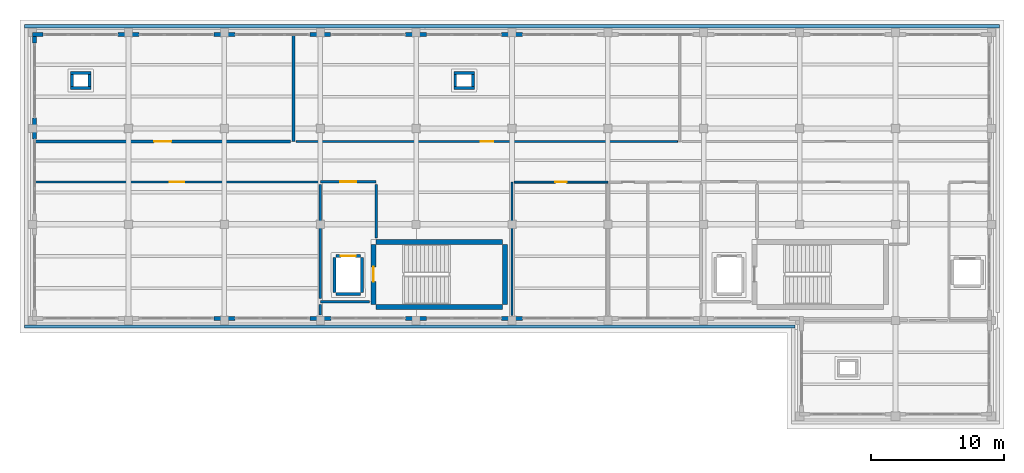
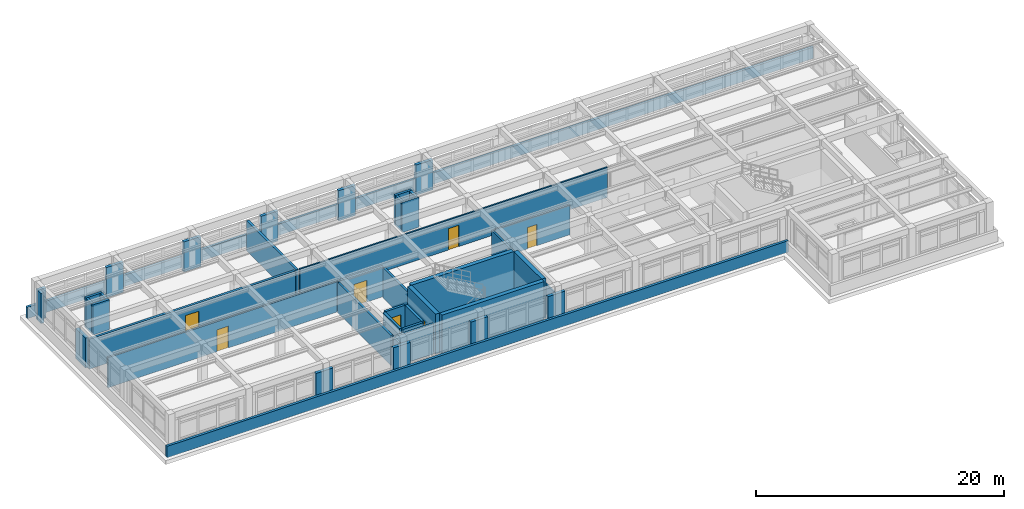
# One storey, part 14 of 19: 41 walls, 7 doors, 7 openings.
"""IFC4 building model written with IfcOpenShell, lengths in metres."""

from ifc_helpers import new_model, si_unit, direction, frame, frame_2d, origin, place, context, subcontext, project, spatial, rectangle, extrude, material, layer, layer_set, type_object, element, fill, save


model = new_model("IFC4")

# Units and contexts
model_context = context("Model", 3, precision=1e-05, world=origin(), true_north=direction((0.0, 1.0)))
body_context = subcontext(model_context, "Body", "Model", "MODEL_VIEW")
ifc_project = project(units=[si_unit("LENGTHUNIT", "METRE"), si_unit("AREAUNIT", "SQUARE_METRE"), si_unit("VOLUMEUNIT", "CUBIC_METRE"), si_unit("PLANEANGLEUNIT", "RADIAN"), si_unit("MASSUNIT", "GRAM", prefix="KILO")], contexts=[model_context])

# Site, building, storey
site_placement = place(None, origin())
site = spatial("IfcSite", under=ifc_project, at=site_placement, CompositionType="ELEMENT")
building_placement = place(site_placement, origin())
building = spatial("IfcBuilding", under=site, at=building_placement, Name="Solenvale Faculty of Natural Sciences", CompositionType="ELEMENT")
storey_placement = place(building_placement, frame((0.0, 0.0, 27.0)))
storey = spatial("IfcBuildingStorey", under=building, at=storey_placement, Name="L06", CompositionType="ELEMENT", Elevation=27.0)

# Walls
ifc_material_1 = material(Name="Precast concrete 40 MPa", Category="concrete")
ifc_layer_1 = layer(ifc_material_1, 0.284912109375)
ifc_layer_set_1 = layer_set([ifc_layer_1], Name="Precast concrete 40 MPa")
wall_type_1 = type_object("IfcWallType", Name="WL-EXT-PRC-285", PredefinedType="STANDARD", material=ifc_layer_set_1)
wall_1_placement = place(storey_placement, frame((115.988037109375, 115.0576171875, 0.0), z_axis=(0.0, 0.0, 1.0), x_axis=(-1.0, 0.0, 0.0)))
element("IfcWall", 1, at=wall_1_placement, inside=storey, type_object=wall_type_1, Name="L06 Facade Closure Pier 2.B5-R", PredefinedType="STANDARD", context=body_context, shape_type="SweptSolid", body=[
    extrude(rectangle(XDim=1.575927734375, YDim=0.284912109375, at=frame_2d((0.7880859375, 0.0))), origin(), (0.0, 0.0, 1.0), 2.9599609375),
])
wall_2_placement = place(storey_placement, frame((108.7880859375, 115.0576171875, 0.0), z_axis=(0.0, 0.0, 1.0), x_axis=(-1.0, 0.0, 0.0)))
element("IfcWall", 2, at=wall_2_placement, inside=storey, type_object=wall_type_1, Name="L06 Facade Closure Pier 2.B6-R", PredefinedType="STANDARD", context=body_context, shape_type="SweptSolid", body=[
    extrude(rectangle(XDim=1.576171875, YDim=0.284912109375, at=frame_2d((0.7880859375, 0.0))), origin(), (0.0, 0.0, 1.0), 2.9599609375),
])
for number, where, z_axis, x_axis, name in (
    (3, (101.587890625, 115.0576171875, 0.0), (0.0, 0.0, 1.0), (-1.0, 0.0, 0.0), "L06 Facade Closure Pier 2.B7-R"),
    (4, (94.387939453125, 115.0576171875, 0.0), (0.0, 0.0, 1.0), (-1.0, 0.0, 0.0), "L06 Facade Closure Pier 2.B8-R"),
    (5, (87.18798828125, 115.0576171875, 0.0), (0.0, 0.0, 1.0), (-1.0, 0.0, 0.0), "L06 Facade Closure Pier 2.B9-R"),
):
    element("IfcWall", number, at=place(storey_placement, frame(where, z_axis=z_axis, x_axis=x_axis)), inside=storey, type_object=wall_type_1, Name=name, PredefinedType="STANDARD", context=body_context, shape_type="SweptSolid", body=[
        extrude(rectangle(XDim=1.575927734375, YDim=0.284912109375, at=frame_2d((0.7880859375, 0.0))), origin(), (0.0, 0.0, 1.0), 2.9599609375),
    ])
wall_3_placement = place(storey_placement, frame((79.988037109375, 115.0576171875, 0.0), z_axis=(0.0, 0.0, 1.0), x_axis=(-1.0, 0.0, 0.0)))
element("IfcWall", 6, at=wall_3_placement, inside=storey, type_object=wall_type_1, Name="L06 Facade Closure Pier 2.B10-R", PredefinedType="STANDARD", context=body_context, shape_type="SweptSolid", body=[
    extrude(rectangle(XDim=0.7880859375, YDim=0.284912109375, at=frame_2d((0.39404296875, 0.0))), origin(), (0.0, 0.0, 1.0), 2.9599609375),
])
wall_4_placement = place(storey_placement, frame((79.342529296875, 114.9150390625, 0.0), z_axis=(0.0, 0.0, 1.0), x_axis=(0.0, -1.0, 0.0)))
element("IfcWall", 7, at=wall_4_placement, inside=storey, type_object=wall_type_1, Name="L06 Facade Closure Pier 3.B1-L", PredefinedType="STANDARD", context=body_context, shape_type="SweptSolid", body=[
    extrude(rectangle(XDim=0.5029296875, YDim=0.284912109375, at=frame_2d((0.25146484375, 0.0))), origin(), (0.0, 0.0, 1.0), 2.9599609375),
])
wall_5_placement = place(storey_placement, frame((79.342529296875, 108.7880859375, 0.0), z_axis=(0.0, 0.0, 1.0), x_axis=(0.0, -1.0, 0.0)))
element("IfcWall", 8, at=wall_5_placement, inside=storey, type_object=wall_type_1, Name="L06 Facade Closure Pier 3.B1-R", PredefinedType="STANDARD", context=body_context, shape_type="SweptSolid", body=[
    extrude(rectangle(XDim=1.576171875, YDim=0.284912109375, at=frame_2d((0.7880859375, 0.0))), origin(), (0.0, 0.0, 1.0), 2.9599609375),
])
for number, where, z_axis, x_axis, name in (
    (9, (92.81201171875, 93.742431640625, 0.0), (0.0, 0.0, 1.0), (1.0, 0.0, 0.0), "L06 Facade Closure Pier 4.B2-R"),
    (10, (100.011962890625, 93.742431640625, 0.0), (0.0, 0.0, 1.0), (1.0, 0.0, 0.0), "L06 Facade Closure Pier 4.B3-R"),
):
    element("IfcWall", number, at=place(storey_placement, frame(where, z_axis=z_axis, x_axis=x_axis)), inside=storey, type_object=wall_type_1, Name=name, PredefinedType="STANDARD", context=body_context, shape_type="SweptSolid", body=[
        extrude(rectangle(XDim=1.575927734375, YDim=0.284912109375, at=frame_2d((0.7880859375, 0.0))), origin(), (0.0, 0.0, 1.0), 2.9599609375),
    ])
wall_6_placement = place(storey_placement, frame((107.2119140625, 93.742431640625, 0.0), z_axis=(0.0, 0.0, 1.0), x_axis=(1.0, 0.0, 0.0)))
element("IfcWall", 11, at=wall_6_placement, inside=storey, type_object=wall_type_1, Name="L06 Facade Closure Pier 4.B4-R", PredefinedType="STANDARD", context=body_context, shape_type="SweptSolid", body=[
    extrude(rectangle(XDim=1.576171875, YDim=0.284912109375, at=frame_2d((0.7880859375, 0.0))), origin(), (0.0, 0.0, 1.0), 2.9599609375),
])
wall_7_placement = place(storey_placement, frame((114.412109375, 93.742431640625, 0.0), z_axis=(0.0, 0.0, 1.0), x_axis=(1.0, 0.0, 0.0)))
element("IfcWall", 12, at=wall_7_placement, inside=storey, type_object=wall_type_1, Name="L06 Facade Closure Pier 4.B5-R", PredefinedType="STANDARD", context=body_context, shape_type="SweptSolid", body=[
    extrude(rectangle(XDim=1.575927734375, YDim=0.284912109375, at=frame_2d((0.7880859375, 0.0))), origin(), (0.0, 0.0, 1.0), 2.9599609375),
])

# Wall, opening, door
ifc_material_2 = material(Name="Gypsum fire-rated shaftwall")
ifc_layer_2 = layer(ifc_material_2, 0.205078125)
ifc_layer_set_2 = layer_set([ifc_layer_2], Name="Gypsum fire-rated shaftwall")
wall_type_2 = type_object("IfcWallType", Name="WL-FFL-205", PredefinedType="PARTITIONING", material=ifc_layer_set_2)
wall_8_placement = place(storey_placement, frame((100.800048828125, 104.0, 0.0), z_axis=(0.0, 0.0, 1.0), x_axis=(1.0, 0.0, 0.0)))
wall_8 = element("IfcWall", 13, at=wall_8_placement, inside=storey, type_object=wall_type_2, Name="L06 Firefighting Lobby C4 Partition 1", PredefinedType="PARTITIONING", context=body_context, shape_type="SweptSolid", body=[
    extrude(rectangle(XDim=4.199951171875, YDim=0.205078125, at=frame_2d((2.10009765625, 0.0))), origin(), (0.0, 0.0, 1.0), 2.9599609375),
])
opening_1_placement = place(wall_8_placement, frame((1.5, 0.0, 0.0)))
opening_1 = element("IfcOpeningElement", 14, at=opening_1_placement, cuts=wall_8, Name="Opening D-L06-01", PredefinedType="OPENING", context=body_context, shape_type="SweptSolid", body=[
    extrude(rectangle(XDim=1.199951171875, YDim=2.14990234375, at=frame_2d((0.60009765625, 1.074951171875))), frame((0.0, 0.112548828125, 0.0), z_axis=(0.0, -1.0, 0.0), x_axis=(1.0, 0.0, 0.0)), (0.0, 0.0, 1.0), 0.22509765625),
])
ifc_material_3 = material(Name="Galvanised steel S355", Category="steel")
door_type_1 = type_object("IfcDoorType", Name="DR-FFL-1200x2150", OperationType="NOTDEFINED", PredefinedType="DOOR", material=ifc_material_3)
door_1_placement = place(opening_1_placement, origin())
door_1 = element("IfcDoor", 15, at=door_1_placement, inside=storey, type_object=door_type_1, Name="L06 Firefighting Lobby C4 Door", OperationType="SINGLE_SWING_RIGHT", OverallHeight=2.14990234375, OverallWidth=1.199951171875, PredefinedType="DOOR", context=body_context, shape_type="SweptSolid", body=[
    extrude(rectangle(XDim=1.199951171875, YDim=2.14990234375, at=frame_2d((0.60009765625, 1.074951171875))), frame((0.0, 0.02490234375, 0.0), z_axis=(0.0, -1.0, 0.0), x_axis=(1.0, 0.0, 0.0)), (0.0, 0.0, 1.0), 0.050048828125),
])
fill(opening_1, door_1)

# Walls
wall_9_placement = place(storey_placement, frame((105.0, 103.782958984375, 0.0), z_axis=(0.0, 0.0, 1.0), x_axis=(0.0, -1.0, 0.0)))
element("IfcWall", 16, at=wall_9_placement, inside=storey, type_object=wall_type_2, Name="L06 Firefighting Lobby C4 Partition 2", PredefinedType="PARTITIONING", context=body_context, shape_type="SweptSolid", body=[
    extrude(rectangle(XDim=3.989013671875, YDim=0.205078125, at=frame_2d((1.99462890625, 0.0))), origin(), (0.0, 0.0, 1.0), 2.9599609375),
])
wall_10_placement = place(storey_placement, frame((104.5048828125, 95.0, 0.0), z_axis=(0.0, 0.0, 1.0), x_axis=(-1.0, 0.0, 0.0)))
element("IfcWall", 17, at=wall_10_placement, inside=storey, type_object=wall_type_2, Name="L06 Firefighting Lobby C4 Partition 20", PredefinedType="PARTITIONING", context=body_context, shape_type="SweptSolid", body=[
    extrude(rectangle(XDim=3.704833984375, YDim=0.205078125, at=frame_2d((1.8525390625, 0.0))), origin(), (0.0, 0.0, 1.0), 2.9599609375),
])
wall_11_placement = place(storey_placement, frame((100.800048828125, 95.217041015625, 0.0), z_axis=(0.0, 0.0, 1.0), x_axis=(0.0, 1.0, 0.0)))
element("IfcWall", 18, at=wall_11_placement, inside=storey, type_object=wall_type_2, Name="L06 Firefighting Lobby C4 Partition 21", PredefinedType="PARTITIONING", context=body_context, shape_type="SweptSolid", body=[
    extrude(rectangle(XDim=8.56591796875, YDim=0.205078125, at=frame_2d((4.282958984375, 0.0))), origin(), (0.0, 0.0, 1.0), 2.9599609375),
])
ifc_material_4 = material(Name="Gypsum fire-rated laboratory partition")
ifc_layer_3 = layer(ifc_material_4, 0.22802734375)
ifc_layer_set_3 = layer_set([ifc_layer_3], Name="Gypsum fire-rated laboratory partition")
wall_type_3 = type_object("IfcWallType", Name="WL-LAB-228", PredefinedType="PARTITIONING", material=ifc_layer_set_3)
wall_12_placement = place(storey_placement, frame((98.800048828125, 115.01708984375, 0.0), z_axis=(0.0, 0.0, 1.0), x_axis=(0.0, -1.0, 0.0)))
element("IfcWall", 19, at=wall_12_placement, inside=storey, type_object=wall_type_3, Name="L06 Biophysics and Neurobiology Research Laboratory Partition 3", PredefinedType="PARTITIONING", context=body_context, shape_type="SweptSolid", body=[
    extrude(rectangle(XDim=7.9970703125, YDim=0.22802734375, at=frame_2d((3.99853515625, 0.0))), origin(), (0.0, 0.0, 1.0), 2.9599609375),
])

# Wall, opening, door
wall_13_placement = place(storey_placement, frame((98.56005859375, 107.02001953125, 0.0), z_axis=(0.0, 0.0, 1.0), x_axis=(-1.0, 0.0, 0.0)))
wall_13 = element("IfcWall", 20, at=wall_13_placement, inside=storey, type_object=wall_type_3, Name="L06 Biophysics and Neurobiology Research Laboratory Partition 4", PredefinedType="PARTITIONING", context=body_context, shape_type="SweptSolid", body=[
    extrude(rectangle(XDim=19.177001953125, YDim=0.22802734375, at=frame_2d((9.58837890625, 0.0))), origin(), (0.0, 0.0, 1.0), 2.9599609375),
])
opening_2_placement = place(wall_13_placement, frame((8.948974609375, 0.0, 0.0)))
opening_2 = element("IfcOpeningElement", 21, at=opening_2_placement, cuts=wall_13, Name="Opening D-L06-03", PredefinedType="OPENING", context=body_context, shape_type="SweptSolid", body=[
    extrude(rectangle(XDim=1.280029296875, YDim=2.14990234375, at=frame_2d((0.64013671875, 1.074951171875))), frame((0.0, 0.1240234375, 0.0), z_axis=(0.0, -1.0, 0.0), x_axis=(1.0, 0.0, 0.0)), (0.0, 0.0, 1.0), 0.248046875),
])
ifc_material_5 = material(Name="Oak acoustic timber leaf", Category="wood")
door_type_2 = type_object("IfcDoorType", Name="DR-LAB-1280x2150", OperationType="NOTDEFINED", PredefinedType="DOOR", material=ifc_material_5)
door_2_placement = place(opening_2_placement, origin())
door_2 = element("IfcDoor", 22, at=door_2_placement, inside=storey, type_object=door_type_2, Name="L06 Biophysics and Neurobiology Research Laboratory Door", OperationType="SINGLE_SWING_RIGHT", OverallHeight=2.14990234375, OverallWidth=1.280029296875, PredefinedType="DOOR", context=body_context, shape_type="SweptSolid", body=[
    extrude(rectangle(XDim=1.280029296875, YDim=2.14990234375, at=frame_2d((0.64013671875, 1.074951171875))), frame((0.0, 0.02490234375, 0.0), z_axis=(0.0, -1.0, 0.0), x_axis=(1.0, 0.0, 0.0)), (0.0, 0.0, 1.0), 0.050048828125),
])
fill(opening_2, door_2)

ifc_material_6 = material(Name="Acoustic stud gypsum partition")
ifc_layer_4 = layer(ifc_material_6, 0.139892578125)
ifc_layer_set_4 = layer_set([ifc_layer_4], Name="Acoustic stud gypsum partition")
wall_type_4 = type_object("IfcWallType", Name="WL-OFF-140", PredefinedType="PARTITIONING", material=ifc_layer_set_4)
wall_14_placement = place(storey_placement, frame((127.64794921875, 107.02001953125, 0.0), z_axis=(0.0, 0.0, 1.0), x_axis=(-1.0, 0.0, 0.0)))
wall_14 = element("IfcWall", 23, at=wall_14_placement, inside=storey, type_object=wall_type_4, Name="L06 Faculty Staff Office Partition 4", PredefinedType="PARTITIONING", context=body_context, shape_type="SweptSolid", body=[
    extrude(rectangle(XDim=28.65185546875, YDim=0.139892578125, at=frame_2d((14.325927734375, 0.0))), origin(), (0.0, 0.0, 1.0), 2.9599609375),
])
opening_3_placement = place(wall_14_placement, frame((13.85107421875, 0.0, 0.0)))
opening_3 = element("IfcOpeningElement", 24, at=opening_3_placement, cuts=wall_14, Name="Opening D-L06-04", PredefinedType="OPENING", context=body_context, shape_type="SweptSolid", body=[
    extrude(rectangle(XDim=0.949951171875, YDim=2.10009765625, at=frame_2d((0.47509765625, 1.050048828125))), frame((0.0, 0.079833984375, 0.0), z_axis=(0.0, -1.0, 0.0), x_axis=(1.0, 0.0, 0.0)), (0.0, 0.0, 1.0), 0.159912109375),
])
door_type_3 = type_object("IfcDoorType", Name="DR-OFF-0950x2100", OperationType="NOTDEFINED", PredefinedType="DOOR", material=ifc_material_5)
door_3_placement = place(opening_3_placement, origin())
door_3 = element("IfcDoor", 25, at=door_3_placement, inside=storey, type_object=door_type_3, Name="L06 Faculty Staff Office Door", OperationType="SINGLE_SWING_LEFT", OverallHeight=2.10009765625, OverallWidth=0.949951171875, PredefinedType="DOOR", context=body_context, shape_type="SweptSolid", body=[
    extrude(rectangle(XDim=0.949951171875, YDim=2.10009765625, at=frame_2d((0.47509765625, 1.050048828125))), frame((0.0, 0.02490234375, 0.0), z_axis=(0.0, -1.0, 0.0), x_axis=(1.0, 0.0, 0.0)), (0.0, 0.0, 1.0), 0.050048828125),
])
fill(opening_3, door_3)

# Walls
ifc_material_7 = material(Name="Architectural bronze concrete 40 MPa", Category="concrete")
ifc_layer_5 = layer(ifc_material_7, 0.239990234375)
ifc_layer_set_5 = layer_set([ifc_layer_5], Name="Architectural bronze concrete 40 MPa")
wall_type_5 = type_object("IfcWallType", Name="WL-PAR-BRZ-240", PredefinedType="PARAPET", material=ifc_layer_set_5)
wall_15_placement = place(storey_placement, frame((136.43994140625, 93.1201171875, 0.0), z_axis=(0.0, 0.0, 1.0), x_axis=(-1.0, 0.0, 0.0)))
element("IfcWall", 26, at=wall_15_placement, inside=storey, type_object=wall_type_5, Name="L06 Tower Horizontal Concrete Band 1", PredefinedType="PARAPET", context=body_context, shape_type="SweptSolid", body=[
    extrude(rectangle(XDim=57.83984375, YDim=0.239990234375, at=frame_2d((28.919921875, 0.0))), origin(), (0.0, 0.0, 1.0), 1.1201171875),
])
wall_16_placement = place(storey_placement, frame((78.60009765625, 115.679931640625, 0.0), z_axis=(0.0, 0.0, 1.0), x_axis=(1.0, 0.0, 0.0)))
element("IfcWall", 27, at=wall_16_placement, inside=storey, type_object=wall_type_5, Name="L06 Tower Horizontal Concrete Band 3", PredefinedType="PARAPET", context=body_context, shape_type="SweptSolid", body=[
    extrude(rectangle(XDim=73.199951171875, YDim=0.239990234375, at=frame_2d((36.60009765625, 0.0))), origin(), (0.0, 0.0, 1.0), 1.1201171875),
])

# Wall, opening, door
ifc_material_8 = material(Name="Acoustic double-stud gypsum partition")
ifc_layer_6 = layer(ifc_material_8, 0.169921875)
ifc_layer_set_6 = layer_set([ifc_layer_6], Name="Acoustic double-stud gypsum partition")
wall_type_6 = type_object("IfcWallType", Name="WL-SEM-170", PredefinedType="PARTITIONING", material=ifc_layer_set_6)
wall_17_placement = place(storey_placement, frame((79.383056640625, 103.97998046875, 0.0), z_axis=(0.0, 0.0, 1.0), x_axis=(1.0, 0.0, 0.0)))
wall_17 = element("IfcWall", 28, at=wall_17_placement, inside=storey, type_object=wall_type_6, Name="L06 Learning Commons Partition 2", PredefinedType="PARTITIONING", context=body_context, shape_type="SweptSolid", body=[
    extrude(rectangle(XDim=21.31982421875, YDim=0.169921875, at=frame_2d((10.659912109375, 0.0))), origin(), (0.0, 0.0, 1.0), 2.9599609375),
])
opening_4_placement = place(wall_17_placement, frame((10.1201171875, 0.0, 0.0)))
opening_4 = element("IfcOpeningElement", 29, at=opening_4_placement, cuts=wall_17, Name="Opening D-L06-06", PredefinedType="OPENING", context=body_context, shape_type="SweptSolid", body=[
    extrude(rectangle(XDim=1.080078125, YDim=2.14990234375, at=frame_2d((0.5400390625, 1.074951171875))), frame((0.0, 0.094970703125, 0.0), z_axis=(0.0, -1.0, 0.0), x_axis=(1.0, 0.0, 0.0)), (0.0, 0.0, 1.0), 0.18994140625),
])
door_type_4 = type_object("IfcDoorType", Name="DR-SEM-1080x2150", OperationType="NOTDEFINED", PredefinedType="DOOR", material=ifc_material_5)
door_4_placement = place(opening_4_placement, origin())
door_4 = element("IfcDoor", 30, at=door_4_placement, inside=storey, type_object=door_type_4, Name="L06 Learning Commons Door", OperationType="SINGLE_SWING_LEFT", OverallHeight=2.14990234375, OverallWidth=1.080078125, PredefinedType="DOOR", context=body_context, shape_type="SweptSolid", body=[
    extrude(rectangle(XDim=1.080078125, YDim=2.14990234375, at=frame_2d((0.5400390625, 1.074951171875))), frame((0.0, 0.02490234375, 0.0), z_axis=(0.0, -1.0, 0.0), x_axis=(1.0, 0.0, 0.0)), (0.0, 0.0, 1.0), 0.050048828125),
])
fill(opening_4, door_4)

# Walls
wall_18_placement = place(storey_placement, frame((100.800048828125, 94.800048828125, 0.0), z_axis=(0.0, 0.0, 1.0), x_axis=(0.0, -1.0, 0.0)))
element("IfcWall", 31, at=wall_18_placement, inside=storey, type_object=wall_type_6, Name="L06 Learning Commons Partition 20", PredefinedType="PARTITIONING", context=body_context, shape_type="SweptSolid", body=[
    extrude(rectangle(XDim=0.818115234375, YDim=0.169921875, at=frame_2d((0.4091796875, 0.0))), origin(), (0.0, 0.0, 1.0), 2.9599609375),
])
ifc_material_9 = material(Name="Concrete 40 MPa", Category="concrete")
ifc_layer_7 = layer(ifc_material_9, 0.219970703125)
ifc_layer_set_7 = layer_set([ifc_layer_7], Name="Concrete 40 MPa")
wall_type_7 = type_object("IfcWallType", Name="WL-SHF-220", PredefinedType="STANDARD", material=ifc_layer_set_7)
wall_19_placement = place(storey_placement, frame((101.97998046875, 95.570068359375, 0.0), z_axis=(0.0, 0.0, 1.0), x_axis=(1.0, 0.0, 0.0)))
element("IfcWall", 32, at=wall_19_placement, inside=storey, type_object=wall_type_7, Name="Elevator LF-01 L06 Shaft Wall S", PredefinedType="STANDARD", context=body_context, shape_type="SweptSolid", body=[
    extrude(rectangle(XDim=1.840087890625, YDim=0.219970703125, at=frame_2d((0.919921875, 0.0))), origin(), (0.0, 0.0, 1.0), 2.9599609375),
])

# Wall, opening, door
wall_20_placement = place(storey_placement, frame((101.97998046875, 98.429931640625, 0.0), z_axis=(0.0, 0.0, 1.0), x_axis=(1.0, 0.0, 0.0)))
wall_20 = element("IfcWall", 33, at=wall_20_placement, inside=storey, type_object=wall_type_7, Name="Elevator LF-01 L06 Shaft Wall N", PredefinedType="STANDARD", context=body_context, shape_type="SweptSolid", body=[
    extrude(rectangle(XDim=1.840087890625, YDim=0.219970703125, at=frame_2d((0.919921875, 0.0))), origin(), (0.0, 0.0, 1.0), 2.9599609375),
])
opening_5_placement = place(wall_20_placement, frame((0.3701171875, 0.0, 0.0)))
opening_5 = element("IfcOpeningElement", 34, at=opening_5_placement, cuts=wall_20, Name="Opening LD-LF-01-L06", PredefinedType="OPENING", context=body_context, shape_type="SweptSolid", body=[
    extrude(rectangle(XDim=1.10009765625, YDim=2.14990234375, at=frame_2d((0.550048828125, 1.074951171875))), frame((0.0, 0.119873046875, 0.0), z_axis=(0.0, -1.0, 0.0), x_axis=(1.0, 0.0, 0.0)), (0.0, 0.0, 1.0), 0.239990234375),
])
ifc_material_10 = material(Name="Stainless steel Grade 304", Category="steel")
door_type_5 = type_object("IfcDoorType", Name="DR-LIFT-1100x2150", OperationType="NOTDEFINED", PredefinedType="DOOR", material=ifc_material_10)
door_5_placement = place(opening_5_placement, origin())
door_5 = element("IfcDoor", 35, at=door_5_placement, inside=storey, type_object=door_type_5, Name="Elevator LF-01 L06 Sliding Landing Door", OperationType="SLIDING_TO_LEFT", OverallHeight=2.14990234375, OverallWidth=1.10009765625, PredefinedType="DOOR", context=body_context, shape_type="SweptSolid", body=[
    extrude(rectangle(XDim=1.10009765625, YDim=2.14990234375, at=frame_2d((0.550048828125, 1.074951171875))), frame((0.0, 0.02490234375, 0.0), z_axis=(0.0, -1.0, 0.0), x_axis=(1.0, 0.0, 0.0)), (0.0, 0.0, 1.0), 0.050048828125),
])
fill(opening_5, door_5)

# Walls
for number, where, z_axis, x_axis, name in (
    (36, (101.8701171875, 95.679931640625, 0.0), (0.0, 0.0, 1.0), (0.0, 1.0, 0.0), "Elevator LF-01 L06 Shaft Wall W"),
    (37, (103.929931640625, 95.679931640625, 0.0), (0.0, 0.0, 1.0), (0.0, 1.0, 0.0), "Elevator LF-01 L06 Shaft Wall E"),
):
    element("IfcWall", number, at=place(storey_placement, frame(where, z_axis=z_axis, x_axis=x_axis)), inside=storey, type_object=wall_type_7, Name=name, PredefinedType="STANDARD", context=body_context, shape_type="SweptSolid", body=[
        extrude(rectangle(XDim=2.64013671875, YDim=0.219970703125, at=frame_2d((1.320068359375, 0.0))), origin(), (0.0, 0.0, 1.0), 2.9599609375),
    ])
for number, where, z_axis, x_axis, name in (
    (38, (82.030029296875, 111.0400390625, 0.0), (0.0, 0.0, 1.0), (1.0, 0.0, 0.0), "L06 Service Riser Shaft 1 Wall S"),
    (39, (82.030029296875, 112.159912109375, 0.0), (0.0, 0.0, 1.0), (1.0, 0.0, 0.0), "L06 Service Riser Shaft 1 Wall N"),
):
    element("IfcWall", number, at=place(storey_placement, frame(where, z_axis=z_axis, x_axis=x_axis)), inside=storey, type_object=wall_type_7, Name=name, PredefinedType="STANDARD", context=body_context, shape_type="SweptSolid", body=[
        extrude(rectangle(XDim=1.5400390625, YDim=0.219970703125, at=frame_2d((0.77001953125, 0.0))), origin(), (0.0, 0.0, 1.0), 2.9599609375),
    ])
for number, where, z_axis, x_axis, name in (
    (40, (82.139892578125, 111.14990234375, 0.0), (0.0, 0.0, 1.0), (0.0, 1.0, 0.0), "L06 Service Riser Shaft 1 Wall W"),
    (41, (83.4599609375, 111.14990234375, 0.0), (0.0, 0.0, 1.0), (0.0, 1.0, 0.0), "L06 Service Riser Shaft 1 Wall E"),
):
    element("IfcWall", number, at=place(storey_placement, frame(where, z_axis=z_axis, x_axis=x_axis)), inside=storey, type_object=wall_type_7, Name=name, PredefinedType="STANDARD", context=body_context, shape_type="SweptSolid", body=[
        extrude(rectangle(XDim=0.900146484375, YDim=0.219970703125, at=frame_2d((0.4501953125, 0.0))), origin(), (0.0, 0.0, 1.0), 2.9599609375),
    ])
for number, where, z_axis, x_axis, name in (
    (42, (110.830078125, 111.0400390625, 0.0), (0.0, 0.0, 1.0), (1.0, 0.0, 0.0), "L06 Service Riser Shaft 2 Wall S"),
    (43, (110.830078125, 112.159912109375, 0.0), (0.0, 0.0, 1.0), (1.0, 0.0, 0.0), "L06 Service Riser Shaft 2 Wall N"),
):
    element("IfcWall", number, at=place(storey_placement, frame(where, z_axis=z_axis, x_axis=x_axis)), inside=storey, type_object=wall_type_7, Name=name, PredefinedType="STANDARD", context=body_context, shape_type="SweptSolid", body=[
        extrude(rectangle(XDim=1.5400390625, YDim=0.219970703125, at=frame_2d((0.77001953125, 0.0))), origin(), (0.0, 0.0, 1.0), 2.9599609375),
    ])
for number, where, z_axis, x_axis, name in (
    (44, (110.93994140625, 111.14990234375, 0.0), (0.0, 0.0, 1.0), (0.0, 1.0, 0.0), "L06 Service Riser Shaft 2 Wall W"),
    (45, (112.260009765625, 111.14990234375, 0.0), (0.0, 0.0, 1.0), (0.0, 1.0, 0.0), "L06 Service Riser Shaft 2 Wall E"),
):
    element("IfcWall", number, at=place(storey_placement, frame(where, z_axis=z_axis, x_axis=x_axis)), inside=storey, type_object=wall_type_7, Name=name, PredefinedType="STANDARD", context=body_context, shape_type="SweptSolid", body=[
        extrude(rectangle(XDim=0.900146484375, YDim=0.219970703125, at=frame_2d((0.4501953125, 0.0))), origin(), (0.0, 0.0, 1.0), 2.9599609375),
    ])
ifc_material_11 = material(Name="Concrete 50 MPa", Category="concrete")
ifc_layer_8 = layer(ifc_material_11, 0.3798828125)
ifc_layer_set_8 = layer_set([ifc_layer_8], Name="Concrete 50 MPa")
wall_type_8 = type_object("IfcWallType", Name="WL-SHR-380", PredefinedType="SHEAR", material=ifc_layer_set_8)
for number, where, z_axis, x_axis, name in (
    (46, (105.0, 94.610107421875, 0.0), (0.0, 0.0, 1.0), (1.0, 0.0, 0.0), "Core C4 L06 Shear Wall S"),
    (47, (105.0, 99.489990234375, 0.0), (0.0, 0.0, 1.0), (1.0, 0.0, 0.0), "Core C4 L06 Shear Wall N"),
):
    element("IfcWall", number, at=place(storey_placement, frame(where, z_axis=z_axis, x_axis=x_axis)), inside=storey, type_object=wall_type_8, Name=name, PredefinedType="SHEAR", context=body_context, shape_type="SweptSolid", body=[
        extrude(rectangle(XDim=9.5, YDim=0.3798828125, at=frame_2d((4.75, 0.0))), origin(), (0.0, 0.0, 1.0), 3.919921875),
    ])

# Wall, opening, door
wall_21_placement = place(storey_placement, frame((104.81005859375, 94.800048828125, 0.0), z_axis=(0.0, 0.0, 1.0), x_axis=(0.0, 1.0, 0.0)))
wall_21 = element("IfcWall", 48, at=wall_21_placement, inside=storey, type_object=wall_type_8, Name="Core C4 L06 Shear Wall W", PredefinedType="SHEAR", context=body_context, shape_type="SweptSolid", body=[
    extrude(rectangle(XDim=4.5, YDim=0.3798828125, at=frame_2d((2.25, 0.0))), origin(), (0.0, 0.0, 1.0), 3.919921875),
])
opening_6_placement = place(wall_21_placement, frame((1.699951171875, 0.0, 0.0)))
opening_6 = element("IfcOpeningElement", 49, at=opening_6_placement, cuts=wall_21, Name="Opening DS-C4-L06", PredefinedType="OPENING", context=body_context, shape_type="SweptSolid", body=[
    extrude(rectangle(XDim=1.10009765625, YDim=2.14990234375, at=frame_2d((0.550048828125, 1.074951171875))), frame((0.0, 0.199951171875, 0.0), z_axis=(0.0, -1.0, 0.0), x_axis=(1.0, 0.0, 0.0)), (0.0, 0.0, 1.0), 0.39990234375),
])
door_type_6 = type_object("IfcDoorType", Name="DR-STAIR-1100x2150", OperationType="NOTDEFINED", PredefinedType="DOOR", material=ifc_material_3)
door_6_placement = place(opening_6_placement, origin())
door_6 = element("IfcDoor", 50, at=door_6_placement, inside=storey, type_object=door_type_6, Name="L06 Stair ST-04 Fire Door", OperationType="SINGLE_SWING_LEFT", OverallHeight=2.14990234375, OverallWidth=1.10009765625, PredefinedType="DOOR", context=body_context, shape_type="SweptSolid", body=[
    extrude(rectangle(XDim=1.10009765625, YDim=2.14990234375, at=frame_2d((0.550048828125, 1.074951171875))), frame((0.0, 0.02490234375, 0.0), z_axis=(0.0, -1.0, 0.0), x_axis=(1.0, 0.0, 0.0)), (0.0, 0.0, 1.0), 0.050048828125),
])
fill(opening_6, door_6)

# Walls
wall_22_placement = place(storey_placement, frame((114.68994140625, 94.800048828125, 0.0), z_axis=(0.0, 0.0, 1.0), x_axis=(0.0, 1.0, 0.0)))
element("IfcWall", 51, at=wall_22_placement, inside=storey, type_object=wall_type_8, Name="Core C4 L06 Shear Wall E", PredefinedType="SHEAR", context=body_context, shape_type="SweptSolid", body=[
    extrude(rectangle(XDim=4.5, YDim=0.3798828125, at=frame_2d((2.25, 0.0))), origin(), (0.0, 0.0, 1.0), 3.919921875),
])
ifc_material_12 = material(Name="Moisture-resistant tile partition")
ifc_layer_9 = layer(ifc_material_12, 0.14990234375)
ifc_layer_set_9 = layer_set([ifc_layer_9], Name="Moisture-resistant tile partition")
wall_type_9 = type_object("IfcWallType", Name="WL-WC-150", PredefinedType="PARTITIONING", material=ifc_layer_set_9)
wall_23_placement = place(storey_placement, frame((115.199951171875, 93.971923828125, 0.0), z_axis=(0.0, 0.0, 1.0), x_axis=(0.0, 1.0, 0.0)))
element("IfcWall", 52, at=wall_23_placement, inside=storey, type_object=wall_type_9, Name="L06 Public Washroom Partition 1", PredefinedType="PARTITIONING", context=body_context, shape_type="SweptSolid", body=[
    extrude(rectangle(XDim=10.008056640625, YDim=0.14990234375, at=frame_2d((5.00390625, 0.0))), origin(), (0.0, 0.0, 1.0), 2.9599609375),
])

# Wall, opening, door
wall_24_placement = place(storey_placement, frame((115.362060546875, 103.97998046875, 0.0), z_axis=(0.0, 0.0, 1.0), x_axis=(1.0, 0.0, 0.0)))
wall_24 = element("IfcWall", 53, at=wall_24_placement, inside=storey, type_object=wall_type_9, Name="L06 Public Washroom Partition 2", PredefinedType="PARTITIONING", context=body_context, shape_type="SweptSolid", body=[
    extrude(rectangle(XDim=7.037841796875, YDim=0.14990234375, at=frame_2d((3.51904296875, 0.0))), origin(), (0.0, 0.0, 1.0), 2.9599609375),
])
opening_7_placement = place(wall_24_placement, frame((3.0791015625, 0.0, 0.0)))
opening_7 = element("IfcOpeningElement", 54, at=opening_7_placement, cuts=wall_24, Name="Opening D-L06-07", PredefinedType="OPENING", context=body_context, shape_type="SweptSolid", body=[
    extrude(rectangle(XDim=0.8798828125, YDim=2.10009765625, at=frame_2d((0.43994140625, 1.050048828125))), frame((0.0, 0.0849609375, 0.0), z_axis=(0.0, -1.0, 0.0), x_axis=(1.0, 0.0, 0.0)), (0.0, 0.0, 1.0), 0.169921875),
])
door_type_7 = type_object("IfcDoorType", Name="DR-WC-0880x2100", OperationType="NOTDEFINED", PredefinedType="DOOR", material=ifc_material_5)
door_7_placement = place(opening_7_placement, origin())
door_7 = element("IfcDoor", 55, at=door_7_placement, inside=storey, type_object=door_type_7, Name="L06 Public Washroom Door", OperationType="SINGLE_SWING_RIGHT", OverallHeight=2.10009765625, OverallWidth=0.8798828125, PredefinedType="DOOR", context=body_context, shape_type="SweptSolid", body=[
    extrude(rectangle(XDim=0.8798828125, YDim=2.10009765625, at=frame_2d((0.43994140625, 1.050048828125))), frame((0.0, 0.02490234375, 0.0), z_axis=(0.0, -1.0, 0.0), x_axis=(1.0, 0.0, 0.0)), (0.0, 0.0, 1.0), 0.050048828125),
])
fill(opening_7, door_7)

save(model, "model.ifc")
